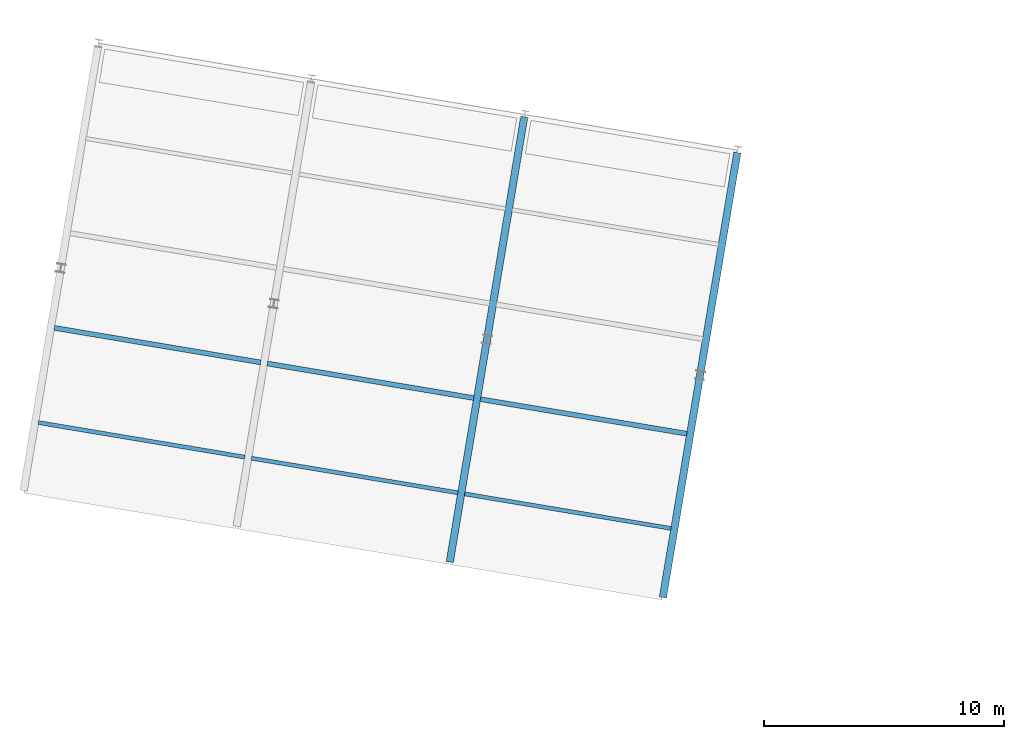
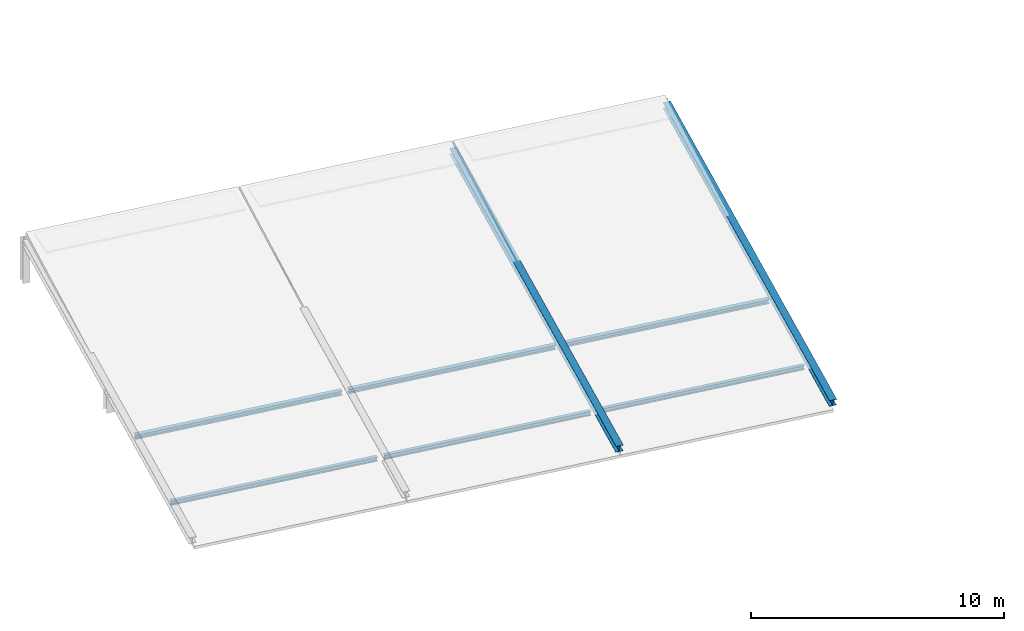
# One storey, part 10 of 27: 8 members.
"""IFC4 building model written with IfcOpenShell, lengths in metres."""

from ifc_helpers import new_model, si_unit, direction, frame, origin, origin_2d, place, context, subcontext, project, spatial, i_section, extrude, material, material_profile, profile_set, type_object, element, save


model = new_model("IFC4")

# Units and contexts
model_context = context("Model", 3, precision=1e-05, world=origin(), true_north=direction((0.0, 1.0)))
body_context = subcontext(model_context, "Body", "Model", "MODEL_VIEW")
ifc_project = project(units=[si_unit("LENGTHUNIT", "METRE"), si_unit("AREAUNIT", "SQUARE_METRE"), si_unit("VOLUMEUNIT", "CUBIC_METRE"), si_unit("PLANEANGLEUNIT", "RADIAN"), si_unit("MASSUNIT", "GRAM", prefix="KILO")], contexts=[model_context])

# Site, building, storey
site_placement = place(None, origin())
site = spatial("IfcSite", under=ifc_project, at=site_placement, CompositionType="ELEMENT")
building_placement = place(site_placement, origin())
building = spatial("IfcBuilding", under=site, at=building_placement, Name="Vireo Bluff Cable Station", CompositionType="ELEMENT")
storey_placement = place(building_placement, frame((0.0, 0.0, 19.199951171875)))
storey = spatial("IfcBuildingStorey", under=building, at=storey_placement, Name="L04", CompositionType="ELEMENT", Elevation=19.199951171875)

# Members
ifc_material = material(Name="Steel ASTM A992 Gr. 50", Category="steel")
ifc_material_profile_1 = material_profile(ifc_material, i_section(OverallWidth=0.304931640625, OverallDepth=0.306884765625, WebThickness=0.010009765625, FlangeThickness=0.015380859375, FilletRadius=0.012939453125, at=origin_2d()), Name="W12X65")
ifc_profile_set_1 = profile_set([ifc_material_profile_1], Name="Steel ASTM A992 Gr. 50")
member_type_1 = type_object("IfcMemberType", Name="CHD-01", PredefinedType="CHORD", material=ifc_profile_set_1)
member_1_placement = place(storey_placement, frame((24.8408203125, 78.01708984375, -0.119873046875), z_axis=(0.164057654744, 0.980336003919, 0.109664968613), x_axis=(-0.986284672924, 0.165053154941, 0.0)))
element("IfcMember", 1, at=member_1_placement, inside=storey, type_object=member_type_1, Name="V4 sawtooth roof rafter chord 3", PredefinedType="CHORD", context=body_context, shape_type="SweptSolid", body=[
    extrude(i_section(OverallWidth=0.304931640625, OverallDepth=0.306884765625, WebThickness=0.010009765625, FlangeThickness=0.015380859375, FilletRadius=0.012939453125, at=origin_2d()), origin(), (0.0, 0.0, 1.0), 18.8740234375),
])
ifc_material_profile_2 = material_profile(ifc_material, i_section(OverallWidth=0.304931640625, OverallDepth=0.306884765625, WebThickness=0.010009765625, FlangeThickness=0.015380859375, FilletRadius=0.012939453125, at=origin_2d()), Name="W12X65")
ifc_profile_set_2 = profile_set([ifc_material_profile_2], Name="Steel ASTM A992 Gr. 50")
member_type_2 = type_object("IfcMemberType", Name="EXTCHD-01", PredefinedType="CHORD", material=ifc_profile_set_2)
member_2_placement = place(storey_placement, frame((33.717529296875, 76.53173828125, -0.119873046875), z_axis=(0.164047147885, 0.980337580566, 0.109666592002), x_axis=(-0.986286436864, 0.165042614067, 0.0)))
element("IfcMember", 2, at=member_2_placement, inside=storey, type_object=member_type_2, Name="V4 sawtooth roof rafter chord 4", PredefinedType="CHORD", context=body_context, shape_type="SweptSolid", body=[
    extrude(i_section(OverallWidth=0.304931640625, OverallDepth=0.306884765625, WebThickness=0.010009765625, FlangeThickness=0.015380859375, FilletRadius=0.012939453125, at=origin_2d()), origin(), (0.0, 0.0, 1.0), 18.873779296875),
])
ifc_material_profile_3 = material_profile(ifc_material, i_section(OverallWidth=0.166015625, OverallDepth=0.205078125, WebThickness=0.007080078125, FlangeThickness=0.01171875, FilletRadius=0.008056640625, at=origin_2d()), Name="W8X28")
ifc_profile_set_3 = profile_set([ifc_material_profile_3], Name="Steel ASTM A992 Gr. 50")
member_type_3 = type_object("IfcMemberType", Name="PUR-02", PredefinedType="PURLIN", material=ifc_profile_set_3)
member_3_placement = place(storey_placement, frame((7.701171875, 83.805419921875, -0.2236328125), z_axis=(0.98628550168, -0.165048202583, 0.0), x_axis=(0.165048202583, 0.98628550168, 0.0)))
element("IfcMember", 3, at=member_3_placement, inside=storey, type_object=member_type_3, Name="V4 sawtooth purlin 1.12", PredefinedType="PURLIN", context=body_context, shape_type="SweptSolid", body=[
    extrude(i_section(OverallWidth=0.166015625, OverallDepth=0.205078125, WebThickness=0.007080078125, FlangeThickness=0.01171875, FilletRadius=0.008056640625, at=origin_2d()), origin(), (0.0, 0.0, 1.0), 8.719970703125),
])
member_4_placement = place(storey_placement, frame((16.57763671875, 82.320068359375, -0.2236328125), z_axis=(0.986286264339, -0.165043645063, 0.0), x_axis=(0.165043645063, 0.986286264339, 0.0)))
element("IfcMember", 4, at=member_4_placement, inside=storey, type_object=member_type_3, Name="V4 sawtooth purlin 2.12", PredefinedType="PURLIN", context=body_context, shape_type="SweptSolid", body=[
    extrude(i_section(OverallWidth=0.166015625, OverallDepth=0.205078125, WebThickness=0.007080078125, FlangeThickness=0.01171875, FilletRadius=0.008056640625, at=origin_2d()), origin(), (0.0, 0.0, 1.0), 8.72021484375),
])
member_5_placement = place(storey_placement, frame((25.454345703125, 80.834716796875, -0.2236328125), z_axis=(0.98628550168, -0.165048202583, 0.0), x_axis=(0.165048202583, 0.98628550168, 0.0)))
element("IfcMember", 5, at=member_5_placement, inside=storey, type_object=member_type_3, Name="V4 sawtooth purlin 3.12", PredefinedType="PURLIN", context=body_context, shape_type="SweptSolid", body=[
    extrude(i_section(OverallWidth=0.166015625, OverallDepth=0.205078125, WebThickness=0.007080078125, FlangeThickness=0.01171875, FilletRadius=0.008056640625, at=origin_2d()), origin(), (0.0, 0.0, 1.0), 8.719970703125),
])
ifc_material_profile_4 = material_profile(ifc_material, i_section(OverallWidth=0.2041015625, OverallDepth=0.2060546875, WebThickness=0.0078125, FlangeThickness=0.0126953125, FilletRadius=0.008056640625, at=origin_2d()), Name="W8X35")
ifc_profile_set_4 = profile_set([ifc_material_profile_4], Name="Steel ASTM A992 Gr. 50")
member_type_4 = type_object("IfcMemberType", Name="PUR-03", PredefinedType="PURLIN", material=ifc_profile_set_4)
for number, where, z_axis, x_axis, name in (
    (6, (8.361328125, 87.75048828125, 0.3447265625), (0.98628550168, -0.165048202583, 0.0), (0.165048202583, 0.98628550168, 0.0), "V4 sawtooth purlin 1.16"),
    (7, (17.238037109375, 86.26513671875, 0.3447265625), (0.98628550168, -0.165048202583, 0.0), (0.165048202583, 0.98628550168, 0.0), "V4 sawtooth purlin 2.16"),
    (8, (26.114501953125, 84.77978515625, 0.3447265625), (0.98628550168, -0.165048202583, 0.0), (0.165048202583, 0.98628550168, 0.0), "V4 sawtooth purlin 3.16"),
):
    element("IfcMember", number, at=place(storey_placement, frame(where, z_axis=z_axis, x_axis=x_axis)), inside=storey, type_object=member_type_4, Name=name, PredefinedType="PURLIN", context=body_context, shape_type="SweptSolid", body=[
        extrude(i_section(OverallWidth=0.2041015625, OverallDepth=0.2060546875, WebThickness=0.0078125, FlangeThickness=0.0126953125, FilletRadius=0.008056640625, at=origin_2d()), origin(), (0.0, 0.0, 1.0), 8.719970703125),
    ])

save(model, "model.ifc")
